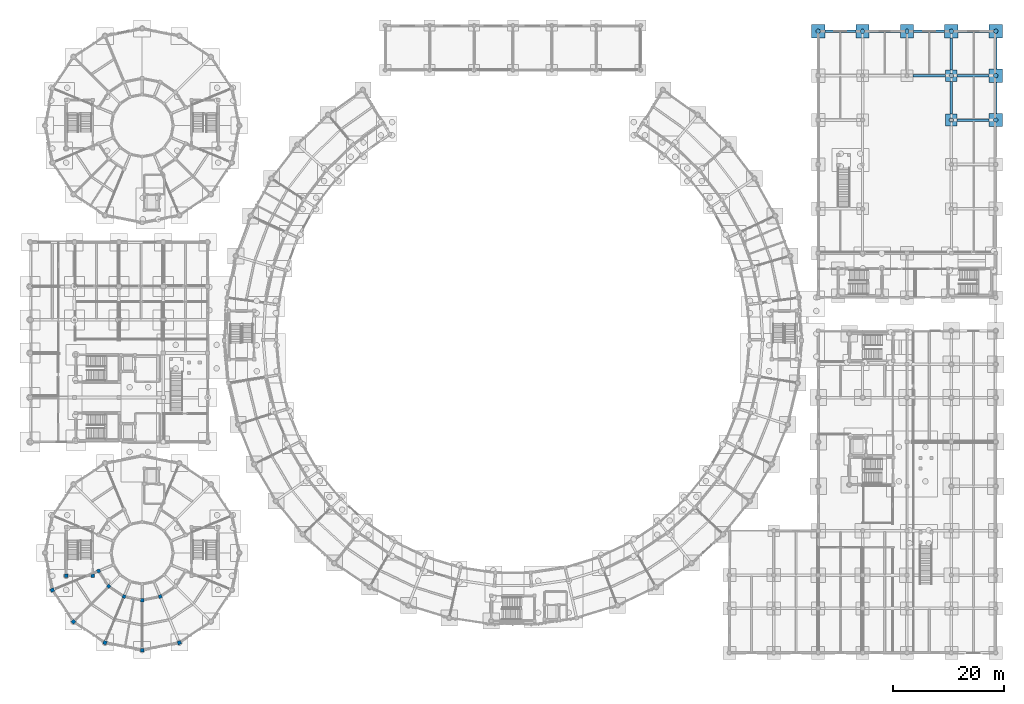
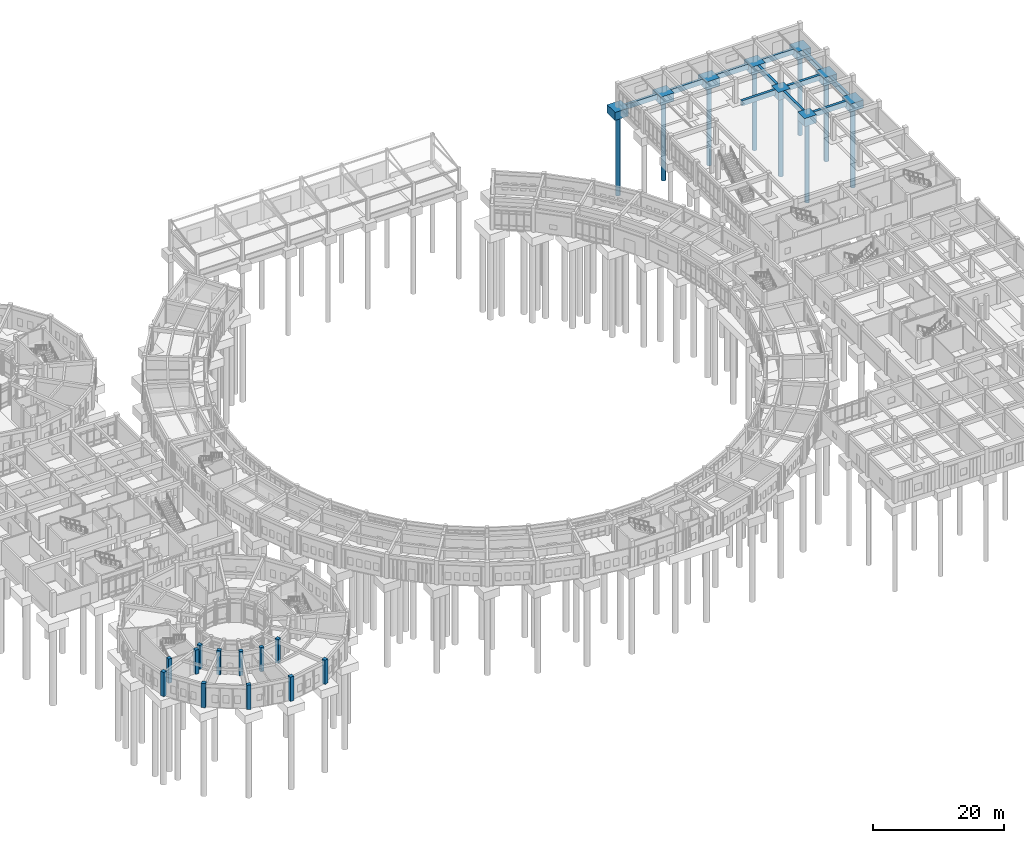
# One storey, part 7 of 153: 20 footings, 12 columns, 9 piles.
"""IFC4 building model written with IfcOpenShell, lengths in metres."""

from ifc_helpers import new_model, si_unit, direction, frame, origin, origin_2d, place, context, subcontext, project, spatial, polyline, rectangle, circle, outline, extrude, material, material_profile, profile_set, type_object, element, save


model = new_model("IFC4")

# Units and contexts
model_context = context("Model", 3, precision=1e-05, world=origin(), true_north=direction((0.0, 1.0)))
body_context = subcontext(model_context, "Body", "Model", "MODEL_VIEW")
ifc_project = project(units=[si_unit("LENGTHUNIT", "METRE"), si_unit("AREAUNIT", "SQUARE_METRE"), si_unit("VOLUMEUNIT", "CUBIC_METRE"), si_unit("PLANEANGLEUNIT", "RADIAN"), si_unit("MASSUNIT", "GRAM", prefix="KILO")], contexts=[model_context])

# Site, building, storey
site_placement = place(None, origin())
site = spatial("IfcSite", under=ifc_project, at=site_placement, CompositionType="ELEMENT")
building_placement = place(site_placement, origin())
building = spatial("IfcBuilding", under=site, at=building_placement, Name="Celadon Cloister-Ring School", CompositionType="ELEMENT")
storey_placement = place(building_placement, origin())
storey = spatial("IfcBuildingStorey", under=building, at=storey_placement, Name="L00", CompositionType="ELEMENT", Elevation=0.0)

# Footings
ifc_material_1 = material(Name="Concrete C40/50", Category="concrete")
footing_type_1 = type_object("IfcFootingType", Name="FC-09", PredefinedType="PILE_CAP", material=ifc_material_1)
for number, where, z_axis, x_axis, name in (
    (1, (142.0, 114.0, -1.5), (0.0, 0.0, 1.0), (1.0, 0.0, 0.0), "Pile Cap 101"),
    (2, (150.0, 114.0, -1.5), (0.0, 0.0, 1.0), (1.0, 0.0, 0.0), "Pile Cap 107"),
    (3, (158.0, 114.0, -1.5), (0.0, 0.0, 1.0), (1.0, 0.0, 0.0), "Pile Cap 111"),
    (4, (166.0, 114.0, -1.5), (0.0, 0.0, 1.0), (1.0, 0.0, 0.0), "Pile Cap 115"),
    (5, (174.0, 106.0, -1.5), (0.0, 0.0, 1.0), (1.0, 0.0, 0.0), "Pile Cap 119"),
    (6, (174.0, 114.0, -1.5), (0.0, 0.0, 1.0), (1.0, 0.0, 0.0), "Pile Cap 120"),
    (7, (174.0, 98.0, -1.5), (0.0, 0.0, 1.0), (1.0, 0.0, 0.0), "Pile Cap 124"),
):
    element("IfcFooting", number, at=place(storey_placement, frame(where, z_axis=z_axis, x_axis=x_axis)), inside=storey, type_object=footing_type_1, Name=name, PredefinedType="PILE_CAP", context=body_context, shape_type="SweptSolid", body=[
        extrude(rectangle(XDim=2.39990234375, YDim=2.39990234375, at=origin_2d()), origin(), (0.0, 0.0, 1.0), 1.5),
    ])
ifc_material_2 = material(Name="Concrete C40/50", Category="concrete")
footing_type_2 = type_object("IfcFootingType", Name="FC-42", PredefinedType="PILE_CAP", material=ifc_material_2)
for number, where, z_axis, x_axis, name in (
    (8, (166.0, 106.0, -1.5), (0.0, 0.0, 1.0), (1.0, 0.0, 0.0), "Pile Cap 114"),
    (9, (166.0, 98.0, -1.5), (0.0, 0.0, 1.0), (1.0, 0.0, 0.0), "Pile Cap 118"),
):
    element("IfcFooting", number, at=place(storey_placement, frame(where, z_axis=z_axis, x_axis=x_axis)), inside=storey, type_object=footing_type_2, Name=name, PredefinedType="PILE_CAP", context=body_context, shape_type="SweptSolid", body=[
        extrude(rectangle(XDim=2.10009765625, YDim=2.10009765625, at=origin_2d()), origin(), (0.0, 0.0, 1.0), 1.5),
    ])

# Piles
ifc_material_3 = material(Name="Concrete C35/45", Category="concrete")
ifc_material_profile_1 = material_profile(ifc_material_3, circle(Radius=0.39990234375, at=origin_2d()), Name="PILE800")
ifc_profile_set_1 = profile_set([ifc_material_profile_1], Name="Concrete C35/45")
pile_type = type_object("IfcPileType", Name="PL-01", PredefinedType="BORED", material=ifc_profile_set_1)
for number, where, z_axis, x_axis, name in (
    (10, (142.0, 114.0, -1.39990234375), (0.0, 0.0, -1.0), (1.0, 0.0, 0.0), "Bored Pile 0239"),
    (11, (150.0, 114.0, -1.39990234375), (0.0, 0.0, -1.0), (1.0, 0.0, 0.0), "Bored Pile 0245"),
    (12, (158.0, 114.0, -1.39990234375), (0.0, 0.0, -1.0), (1.0, 0.0, 0.0), "Bored Pile 0249"),
    (13, (166.0, 106.0, -1.39990234375), (0.0, 0.0, -1.0), (1.0, 0.0, 0.0), "Bored Pile 0252"),
    (14, (166.0, 114.0, -1.39990234375), (0.0, 0.0, -1.0), (1.0, 0.0, 0.0), "Bored Pile 0253"),
    (15, (166.0, 98.0, -1.39990234375), (0.0, 0.0, -1.0), (1.0, 0.0, 0.0), "Bored Pile 0256"),
    (16, (174.0, 106.0, -1.39990234375), (0.0, 0.0, -1.0), (1.0, 0.0, 0.0), "Bored Pile 0257"),
    (17, (174.0, 114.0, -1.39990234375), (0.0, 0.0, -1.0), (1.0, 0.0, 0.0), "Bored Pile 0258"),
    (18, (174.0, 98.0, -1.39990234375), (0.0, 0.0, -1.0), (1.0, 0.0, 0.0), "Bored Pile 0262"),
):
    element("IfcPile", number, at=place(storey_placement, frame(where, z_axis=z_axis, x_axis=x_axis)), inside=storey, type_object=pile_type, Name=name, PredefinedType="BORED", context=body_context, shape_type="SweptSolid", body=[
        extrude(circle(Radius=0.39990234375, at=origin_2d()), origin(), (0.0, 0.0, 1.0), 15.0),
    ])

# Footings
ifc_material_4 = material(Name="Concrete C40/50", Category="concrete")
footing_type_3 = type_object("IfcFootingType", Name="SF-01", PredefinedType="STRIP_FOOTING", material=ifc_material_4)
footing_1_placement = place(storey_placement, frame((0.0, 0.0, -0.949951171875)))
element("IfcFooting", 19, at=footing_1_placement, inside=storey, type_object=footing_type_3, Name="Seismic Tie Strip 0011", PredefinedType="STRIP_FOOTING", context=body_context, shape_type="SweptSolid", body=[
    extrude(outline(polyline([(143.205078125, 113.77490234375), (148.794921875, 113.77490234375), (148.794921875, 114.22509765625), (143.205078125, 114.22509765625), (143.205078125, 113.77490234375)])), origin(), (0.0, 0.0, 1.0), 0.949951171875),
])
footing_2_placement = place(storey_placement, frame((0.0, 0.0, -0.949951171875)))
element("IfcFooting", 20, at=footing_2_placement, inside=storey, type_object=footing_type_3, Name="Seismic Tie Strip 0020", PredefinedType="STRIP_FOOTING", context=body_context, shape_type="SweptSolid", body=[
    extrude(outline(polyline([(151.205078125, 113.77490234375), (156.794921875, 113.77490234375), (156.794921875, 114.22509765625), (151.205078125, 114.22509765625), (151.205078125, 113.77490234375)])), origin(), (0.0, 0.0, 1.0), 0.949951171875),
])
footing_3_placement = place(storey_placement, frame((0.0, 0.0, -0.949951171875)))
element("IfcFooting", 21, at=footing_3_placement, inside=storey, type_object=footing_type_3, Name="Seismic Tie Strip 0022", PredefinedType="STRIP_FOOTING", context=body_context, shape_type="SweptSolid", body=[
    extrude(outline(polyline([(159.054931640625, 105.77490234375), (164.945068359375, 105.77490234375), (164.945068359375, 106.22509765625), (159.054931640625, 106.22509765625), (159.054931640625, 105.77490234375)])), origin(), (0.0, 0.0, 1.0), 0.949951171875),
])
footing_4_placement = place(storey_placement, frame((0.0, 0.0, -0.949951171875)))
element("IfcFooting", 22, at=footing_4_placement, inside=storey, type_object=footing_type_3, Name="Seismic Tie Strip 0023", PredefinedType="STRIP_FOOTING", context=body_context, shape_type="SweptSolid", body=[
    extrude(outline(polyline([(159.205078125, 113.77490234375), (164.794921875, 113.77490234375), (164.794921875, 114.22509765625), (159.205078125, 114.22509765625), (159.205078125, 113.77490234375)])), origin(), (0.0, 0.0, 1.0), 0.949951171875),
])
footing_5_placement = place(storey_placement, frame((0.0, 0.0, -0.949951171875)))
element("IfcFooting", 23, at=footing_5_placement, inside=storey, type_object=footing_type_3, Name="Seismic Tie Strip 0025", PredefinedType="STRIP_FOOTING", context=body_context, shape_type="SweptSolid", body=[
    extrude(outline(polyline([(166.22509765625, 107.054931640625), (166.22509765625, 112.794921875), (165.77490234375, 112.794921875), (165.77490234375, 107.054931640625), (166.22509765625, 107.054931640625)])), origin(), (0.0, 0.0, 1.0), 0.949951171875),
])
footing_6_placement = place(storey_placement, frame((0.0, 0.0, -0.949951171875)))
element("IfcFooting", 24, at=footing_6_placement, inside=storey, type_object=footing_type_3, Name="Seismic Tie Strip 0026", PredefinedType="STRIP_FOOTING", context=body_context, shape_type="SweptSolid", body=[
    extrude(outline(polyline([(165.77490234375, 104.945068359375), (165.77490234375, 99.054931640625), (166.22509765625, 99.054931640625), (166.22509765625, 104.945068359375), (165.77490234375, 104.945068359375)])), origin(), (0.0, 0.0, 1.0), 0.949951171875),
])
footing_7_placement = place(storey_placement, frame((0.0, 0.0, -0.949951171875)))
element("IfcFooting", 25, at=footing_7_placement, inside=storey, type_object=footing_type_3, Name="Seismic Tie Strip 0027", PredefinedType="STRIP_FOOTING", context=body_context, shape_type="SweptSolid", body=[
    extrude(outline(polyline([(167.054931640625, 105.77490234375), (172.794921875, 105.77490234375), (172.794921875, 106.22509765625), (167.054931640625, 106.22509765625), (167.054931640625, 105.77490234375)])), origin(), (0.0, 0.0, 1.0), 0.949951171875),
])
footing_8_placement = place(storey_placement, frame((0.0, 0.0, -0.949951171875)))
element("IfcFooting", 26, at=footing_8_placement, inside=storey, type_object=footing_type_3, Name="Seismic Tie Strip 0028", PredefinedType="STRIP_FOOTING", context=body_context, shape_type="SweptSolid", body=[
    extrude(outline(polyline([(167.205078125, 113.77490234375), (172.794921875, 113.77490234375), (172.794921875, 114.22509765625), (167.205078125, 114.22509765625), (167.205078125, 113.77490234375)])), origin(), (0.0, 0.0, 1.0), 0.949951171875),
])
footing_9_placement = place(storey_placement, frame((0.0, 0.0, -0.949951171875)))
element("IfcFooting", 27, at=footing_9_placement, inside=storey, type_object=footing_type_3, Name="Seismic Tie Strip 0033", PredefinedType="STRIP_FOOTING", context=body_context, shape_type="SweptSolid", body=[
    extrude(outline(polyline([(167.054931640625, 97.77490234375), (172.794921875, 97.77490234375), (172.794921875, 98.22509765625), (167.054931640625, 98.22509765625), (167.054931640625, 97.77490234375)])), origin(), (0.0, 0.0, 1.0), 0.949951171875),
])
footing_10_placement = place(storey_placement, frame((0.0, 0.0, -0.949951171875)))
element("IfcFooting", 28, at=footing_10_placement, inside=storey, type_object=footing_type_3, Name="Seismic Tie Strip 0034", PredefinedType="STRIP_FOOTING", context=body_context, shape_type="SweptSolid", body=[
    extrude(outline(polyline([(174.22509765625, 107.205078125), (174.22509765625, 112.794921875), (173.77490234375, 112.794921875), (173.77490234375, 107.205078125), (174.22509765625, 107.205078125)])), origin(), (0.0, 0.0, 1.0), 0.949951171875),
])
footing_11_placement = place(storey_placement, frame((0.0, 0.0, -0.949951171875)))
element("IfcFooting", 29, at=footing_11_placement, inside=storey, type_object=footing_type_3, Name="Seismic Tie Strip 0035", PredefinedType="STRIP_FOOTING", context=body_context, shape_type="SweptSolid", body=[
    extrude(outline(polyline([(173.77490234375, 104.794921875), (173.77490234375, 99.205078125), (174.22509765625, 99.205078125), (174.22509765625, 104.794921875), (173.77490234375, 104.794921875)])), origin(), (0.0, 0.0, 1.0), 0.949951171875),
])

# Columns
ifc_material_5 = material(Name="Concrete C40/50", Category="concrete")
ifc_material_profile_2 = material_profile(ifc_material_5, rectangle(XDim=0.60009765625, YDim=0.60009765625, at=origin_2d()), Name="RC600X600")
ifc_profile_set_2 = profile_set([ifc_material_profile_2], Name="Concrete C40/50")
column_type_1 = type_object("IfcColumnType", Name="CT-04", PredefinedType="COLUMN", material=ifc_profile_set_2)
for number, where, z_axis, x_axis, name in (
    (30, (6.5, 15.89990234375, 0.0), (0.0, 0.0, 1.0), (1.0, 0.0, 0.0), "Column 0159"),
    (31, (11.300048828125, 15.89990234375, 0.0), (0.0, 0.0, 1.0), (1.0, 0.0, 0.0), "Column 0163"),
    (32, (12.346923828125, 16.7470703125, 0.0), (0.0, 0.0, 1.0), (-0.923879532511, -0.382683432365, 0.0), "Column 1287"),
    (33, (14.18994140625, 13.989990234375, 0.0), (0.0, 0.0, 1.0), (-0.707106781187, -0.707106781187, 0.0), "Column 1291"),
    (34, (16.947021484375, 12.14697265625, 0.0), (0.0, 0.0, 1.0), (-0.382683432365, -0.923879532511, 0.0), "Column 1295"),
    (35, (20.199951171875, 11.5, 0.0), (0.0, 0.0, 1.0), (0.0, -1.0, 0.0), "Column 1299"),
    (36, (23.452880859375, 12.14697265625, 0.0), (0.0, 0.0, 1.0), (0.382683432365, -0.923879532511, 0.0), "Column 1303"),
):
    element("IfcColumn", number, at=place(storey_placement, frame(where, z_axis=z_axis, x_axis=x_axis)), inside=storey, type_object=column_type_1, Name=name, PredefinedType="COLUMN", context=body_context, shape_type="SweptSolid", body=[
        extrude(rectangle(XDim=0.60009765625, YDim=0.60009765625, at=origin_2d()), origin(), (0.0, 0.0, 1.0), 4.5),
    ])
ifc_material_6 = material(Name="Concrete C40/50", Category="concrete")
ifc_material_profile_3 = material_profile(ifc_material_6, rectangle(XDim=0.64990234375, YDim=0.64990234375, at=origin_2d()), Name="RC650X650")
ifc_profile_set_3 = profile_set([ifc_material_profile_3], Name="Concrete C40/50")
column_type_2 = type_object("IfcColumnType", Name="CT-22", PredefinedType="COLUMN", material=ifc_profile_set_3)
for number, where, z_axis, x_axis, name in (
    (37, (4.031982421875, 13.302978515625, 0.0), (0.0, 0.0, 1.0), (-0.923879532511, -0.382683432365, 0.0), "Column 1351"),
    (38, (7.825927734375, 7.6259765625, 0.0), (0.0, 0.0, 1.0), (-0.707106781187, -0.707106781187, 0.0), "Column 1355"),
    (39, (13.5029296875, 3.83203125, 0.0), (0.0, 0.0, 1.0), (-0.382683432365, -0.923879532511, 0.0), "Column 1359"),
    (40, (20.199951171875, 2.5, 0.0), (0.0, 0.0, 1.0), (0.0, -1.0, 0.0), "Column 1363"),
    (41, (26.89697265625, 3.83203125, 0.0), (0.0, 0.0, 1.0), (0.382683432365, -0.923879532511, 0.0), "Column 1367"),
):
    element("IfcColumn", number, at=place(storey_placement, frame(where, z_axis=z_axis, x_axis=x_axis)), inside=storey, type_object=column_type_2, Name=name, PredefinedType="COLUMN", context=body_context, shape_type="SweptSolid", body=[
        extrude(rectangle(XDim=0.64990234375, YDim=0.64990234375, at=origin_2d()), origin(), (0.0, 0.0, 1.0), 4.5),
    ])

save(model, "model.ifc")
